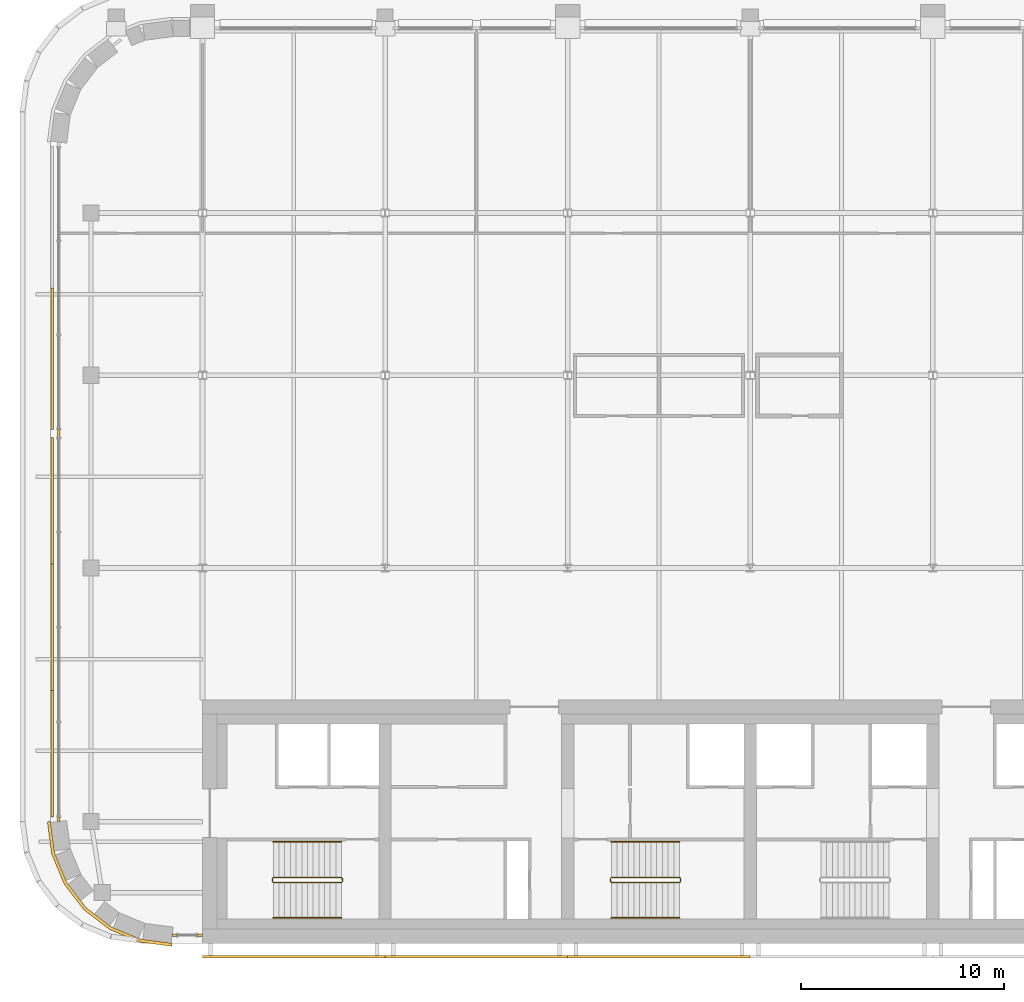
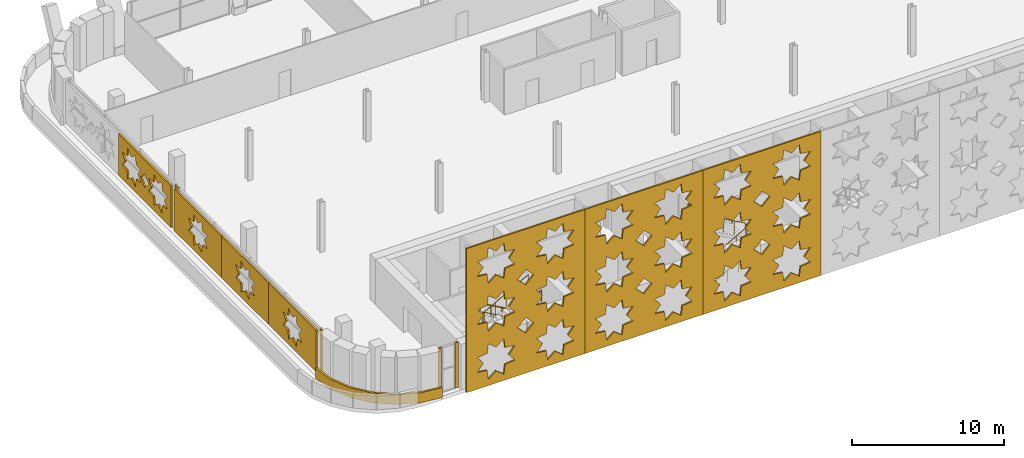
# One storey, part 20 of 25: 12 coverings, 6 railings.
"""IFC4 building model written with IfcOpenShell, lengths in metres."""

from ifc_helpers import new_model, si_unit, direction, frame, origin, origin_2d, place, context, subcontext, project, spatial, polyline, rectangle, circle, outline, extrude, material, layer, layer_set, type_object, element, save


model = new_model("IFC4")

# Units and contexts
model_context = context("Model", 3, precision=1e-05, world=origin(), true_north=direction((0.0, 1.0)))
body_context = subcontext(model_context, "Body", "Model", "MODEL_VIEW")
ifc_project = project(units=[si_unit("LENGTHUNIT", "METRE"), si_unit("AREAUNIT", "SQUARE_METRE"), si_unit("VOLUMEUNIT", "CUBIC_METRE"), si_unit("PLANEANGLEUNIT", "RADIAN"), si_unit("MASSUNIT", "GRAM", prefix="KILO")], contexts=[model_context])

# Site, building, storey
site_placement = place(None, origin())
site = spatial("IfcSite", under=ifc_project, at=site_placement, CompositionType="ELEMENT")
building_placement = place(site_placement, origin())
building = spatial("IfcBuilding", under=site, at=building_placement, Name="Zellij Exchange Tower", CompositionType="ELEMENT")
storey_placement = place(building_placement, frame((0.0, 0.0, 264.5)))
storey = spatial("IfcBuildingStorey", under=building, at=storey_placement, Name="L62", CompositionType="ELEMENT", Elevation=264.5)

# Railings
ifc_material_1 = material(Name="Stainless steel", Category="steel")
railing_type_1 = type_object("IfcRailingType", Name="CORE-RG stair guard", PredefinedType="GUARDRAIL", material=ifc_material_1)
railing_1_placement = place(storey_placement, frame((-20.10009765625, -10.800048828125, 0.0)))
element("IfcRailing", 1, at=railing_1_placement, inside=storey, type_object=railing_type_1, Name="ST1 stair guard L62", PredefinedType="GUARDRAIL", context=body_context, shape_type="SweptSolid", body=[
    extrude(circle(Radius=0.02392578125, at=origin_2d()), frame((0.0, 0.0, 1.076171875), z_axis=(0.0, -1.0, 0.0), x_axis=(1.0, 0.0, 0.0)), (0.0, 0.0, 1.0), 0.14990234375),
    extrude(circle(Radius=0.02392578125, at=origin_2d()), frame((0.0, -0.14990234375, 1.076171875), z_axis=(-0.193691321961, 0.777613689637, 0.598164376644), x_axis=(-0.970351222016, -0.241699205484, 0.0)), (0.0, 0.0, 1.0), 0.257080078125),
    extrude(circle(Radius=0.02392578125, at=origin_2d()), frame((-0.0498046875, 0.050048828125, 1.22998046875), z_axis=(-0.876421534553, 0.0, 0.481544695509), x_axis=(0.0, -1.0, 0.0)), (0.0, 0.0, 1.0), 3.833984375),
    extrude(circle(Radius=0.02392578125, at=origin_2d()), frame((-3.409912109375, 0.050048828125, 3.076171875), z_axis=(-0.707106781187, -0.707106781187, 0.0), x_axis=(0.707106781187, -0.707106781187, 0.0)), (0.0, 0.0, 1.0), 0.07080078125),
    extrude(circle(Radius=0.02392578125, at=origin_2d()), frame((-3.4599609375, 0.0, 3.076171875), z_axis=(0.0, -1.0, 0.0), x_axis=(1.0, 0.0, 0.0)), (0.0, 0.0, 1.0), 0.14990234375),
    extrude(circle(Radius=0.02392578125, at=origin_2d()), frame((-3.4599609375, -0.14990234375, 3.076171875), z_axis=(0.295599637079, -0.295599637079, 0.908428152975), x_axis=(0.707106781187, 0.707106781187, 0.0)), (0.0, 0.0, 1.0), 0.16943359375),
    extrude(circle(Radius=0.02392578125, at=origin_2d()), frame((-3.409912109375, -0.199951171875, 3.22998046875), z_axis=(0.876421534553, 0.0, 0.481544695509), x_axis=(0.0, 1.0, 0.0)), (0.0, 0.0, 1.0), 3.833984375),
    extrude(circle(Radius=0.02099609375, at=origin_2d()), origin(), (0.0, 0.0, 1.0), 1.052001953125),
    extrude(circle(Radius=0.02099609375, at=origin_2d()), frame((0.0, -0.14990234375, 0.0)), (0.0, 0.0, 1.0), 1.052001953125),
    extrude(circle(Radius=0.02099609375, at=origin_2d()), frame((-0.0498046875, 0.050048828125, 0.15380859375)), (0.0, 0.0, 1.0), 1.052001953125),
    extrude(circle(Radius=0.02099609375, at=origin_2d()), frame((-0.889892578125, 0.050048828125, 0.615234375)), (0.0, 0.0, 1.0), 1.052001953125),
    extrude(circle(Radius=0.02099609375, at=origin_2d()), frame((-1.72998046875, 0.050048828125, 1.076904296875)), (0.0, 0.0, 1.0), 1.052001953125),
    extrude(circle(Radius=0.02099609375, at=origin_2d()), frame((-2.56982421875, 0.050048828125, 1.53857421875)), (0.0, 0.0, 1.0), 1.052001953125),
    extrude(circle(Radius=0.02099609375, at=origin_2d()), frame((-3.409912109375, 0.050048828125, 2.0)), (0.0, 0.0, 1.0), 1.052001953125),
    extrude(circle(Radius=0.02099609375, at=origin_2d()), frame((-3.4599609375, 0.0, 2.0)), (0.0, 0.0, 1.0), 1.052001953125),
    extrude(circle(Radius=0.02099609375, at=origin_2d()), frame((-3.4599609375, -0.14990234375, 2.0)), (0.0, 0.0, 1.0), 1.052001953125),
    extrude(circle(Radius=0.02099609375, at=origin_2d()), frame((-3.409912109375, -0.199951171875, 2.15380859375)), (0.0, 0.0, 1.0), 1.052001953125),
    extrude(circle(Radius=0.02099609375, at=origin_2d()), frame((-2.56982421875, -0.199951171875, 2.615234375)), (0.0, 0.0, 1.0), 1.052001953125),
    extrude(circle(Radius=0.02099609375, at=origin_2d()), frame((-1.72998046875, -0.199951171875, 3.076904296875)), (0.0, 0.0, 1.0), 1.052001953125),
    extrude(circle(Radius=0.02099609375, at=origin_2d()), frame((-0.889892578125, -0.199951171875, 3.53857421875)), (0.0, 0.0, 1.0), 1.052001953125),
    extrude(circle(Radius=0.02099609375, at=origin_2d()), frame((-0.0498046875, -0.199951171875, 4.0)), (0.0, 0.0, 1.0), 1.052001953125),
])
railing_2_placement = place(storey_placement, frame((-6.89990234375, -10.949951171875, 0.0)))
element("IfcRailing", 2, at=railing_2_placement, inside=storey, type_object=railing_type_1, Name="ST2 stair guard L62", PredefinedType="GUARDRAIL", context=body_context, shape_type="SweptSolid", body=[
    extrude(circle(Radius=0.02392578125, at=origin_2d()), frame((0.0, 0.0, 1.076171875), z_axis=(0.0, 1.0, 0.0), x_axis=(-1.0, 0.0, 0.0)), (0.0, 0.0, 1.0), 0.14990234375),
    extrude(circle(Radius=0.02392578125, at=origin_2d()), frame((0.0, 0.14990234375, 1.076171875), z_axis=(0.193691321961, -0.777613689637, 0.598164376644), x_axis=(0.970351222016, 0.241699205484, 0.0)), (0.0, 0.0, 1.0), 0.257080078125),
    extrude(circle(Radius=0.02392578125, at=origin_2d()), frame((0.0498046875, -0.050048828125, 1.22998046875), z_axis=(0.876421534553, 0.0, 0.481544695509), x_axis=(0.0, 1.0, 0.0)), (0.0, 0.0, 1.0), 3.833984375),
    extrude(circle(Radius=0.02392578125, at=origin_2d()), frame((3.409912109375, -0.050048828125, 3.076171875), z_axis=(0.707106781187, 0.707106781187, 0.0), x_axis=(-0.707106781187, 0.707106781187, 0.0)), (0.0, 0.0, 1.0), 0.07080078125),
    extrude(circle(Radius=0.02392578125, at=origin_2d()), frame((3.4599609375, 0.0, 3.076171875), z_axis=(0.0, 1.0, 0.0), x_axis=(-1.0, 0.0, 0.0)), (0.0, 0.0, 1.0), 0.14990234375),
    extrude(circle(Radius=0.02392578125, at=origin_2d()), frame((3.4599609375, 0.14990234375, 3.076171875), z_axis=(-0.295599637079, 0.295599637079, 0.908428152975), x_axis=(-0.707106781187, -0.707106781187, 0.0)), (0.0, 0.0, 1.0), 0.16943359375),
    extrude(circle(Radius=0.02392578125, at=origin_2d()), frame((3.409912109375, 0.199951171875, 3.22998046875), z_axis=(-0.876421534553, 0.0, 0.481544695509), x_axis=(0.0, -1.0, 0.0)), (0.0, 0.0, 1.0), 3.833984375),
    extrude(circle(Radius=0.02099609375, at=origin_2d()), origin(), (0.0, 0.0, 1.0), 1.052001953125),
    extrude(circle(Radius=0.02099609375, at=origin_2d()), frame((0.0, 0.14990234375, 0.0)), (0.0, 0.0, 1.0), 1.052001953125),
    extrude(circle(Radius=0.02099609375, at=origin_2d()), frame((0.0498046875, -0.050048828125, 0.15380859375)), (0.0, 0.0, 1.0), 1.052001953125),
    extrude(circle(Radius=0.02099609375, at=origin_2d()), frame((0.889892578125, -0.050048828125, 0.615234375)), (0.0, 0.0, 1.0), 1.052001953125),
    extrude(circle(Radius=0.02099609375, at=origin_2d()), frame((1.72998046875, -0.050048828125, 1.076904296875)), (0.0, 0.0, 1.0), 1.052001953125),
    extrude(circle(Radius=0.02099609375, at=origin_2d()), frame((2.56982421875, -0.050048828125, 1.53857421875)), (0.0, 0.0, 1.0), 1.052001953125),
    extrude(circle(Radius=0.02099609375, at=origin_2d()), frame((3.409912109375, -0.050048828125, 2.0)), (0.0, 0.0, 1.0), 1.052001953125),
    extrude(circle(Radius=0.02099609375, at=origin_2d()), frame((3.4599609375, 0.0, 2.0)), (0.0, 0.0, 1.0), 1.052001953125),
    extrude(circle(Radius=0.02099609375, at=origin_2d()), frame((3.4599609375, 0.14990234375, 2.0)), (0.0, 0.0, 1.0), 1.052001953125),
    extrude(circle(Radius=0.02099609375, at=origin_2d()), frame((3.409912109375, 0.199951171875, 2.15380859375)), (0.0, 0.0, 1.0), 1.052001953125),
    extrude(circle(Radius=0.02099609375, at=origin_2d()), frame((2.56982421875, 0.199951171875, 2.615234375)), (0.0, 0.0, 1.0), 1.052001953125),
    extrude(circle(Radius=0.02099609375, at=origin_2d()), frame((1.72998046875, 0.199951171875, 3.076904296875)), (0.0, 0.0, 1.0), 1.052001953125),
    extrude(circle(Radius=0.02099609375, at=origin_2d()), frame((0.889892578125, 0.199951171875, 3.53857421875)), (0.0, 0.0, 1.0), 1.052001953125),
    extrude(circle(Radius=0.02099609375, at=origin_2d()), frame((0.0498046875, 0.199951171875, 4.0)), (0.0, 0.0, 1.0), 1.052001953125),
])
railing_type_2 = type_object("IfcRailingType", Name="CORE-RH stair handrail", PredefinedType="HANDRAIL", material=ifc_material_1)
railing_3_placement = place(storey_placement, frame((-20.14990234375, -9.0, 0.15380859375)))
element("IfcRailing", 3, at=railing_3_placement, inside=storey, type_object=railing_type_2, Name="ST1 stair handrail L62", PredefinedType="HANDRAIL", context=body_context, shape_type="SweptSolid", body=[
    extrude(circle(Radius=0.02392578125, at=origin_2d()), frame((0.0, 0.0, 0.8759765625), z_axis=(-0.876421534553, 0.0, 0.481544695509), x_axis=(0.0, -1.0, 0.0)), (0.0, 0.0, 1.0), 3.833984375),
    extrude(circle(Radius=0.02099609375, at=origin_2d()), origin(), (0.0, 0.0, 1.0), 0.851806640625),
    extrude(circle(Radius=0.02099609375, at=origin_2d()), frame((-0.840087890625, 0.0, 0.46142578125)), (0.0, 0.0, 1.0), 0.851806640625),
    extrude(circle(Radius=0.02099609375, at=origin_2d()), frame((-1.68017578125, 0.0, 0.923095703125)), (0.0, 0.0, 1.0), 0.851806640625),
    extrude(circle(Radius=0.02099609375, at=origin_2d()), frame((-2.52001953125, 0.0, 1.384765625)), (0.0, 0.0, 1.0), 0.851806640625),
    extrude(circle(Radius=0.02099609375, at=origin_2d()), frame((-3.360107421875, 0.0, 1.84619140625)), (0.0, 0.0, 1.0), 0.851806640625),
])
for number, where, name in (
    (4, (-23.510009765625, -12.75, 2.15380859375), "ST1 stair handrail L62"),
    (5, (-6.85009765625, -12.75, 0.15380859375), "ST2 stair handrail L62"),
):
    element("IfcRailing", number, at=place(storey_placement, frame(where)), inside=storey, type_object=railing_type_2, Name=name, PredefinedType="HANDRAIL", context=body_context, shape_type="SweptSolid", body=[
        extrude(circle(Radius=0.02392578125, at=origin_2d()), frame((0.0, 0.0, 0.8759765625), z_axis=(0.876421534553, 0.0, 0.481544695509), x_axis=(0.0, 1.0, 0.0)), (0.0, 0.0, 1.0), 3.833984375),
        extrude(circle(Radius=0.02099609375, at=origin_2d()), origin(), (0.0, 0.0, 1.0), 0.851806640625),
        extrude(circle(Radius=0.02099609375, at=origin_2d()), frame((0.840087890625, 0.0, 0.46142578125)), (0.0, 0.0, 1.0), 0.851806640625),
        extrude(circle(Radius=0.02099609375, at=origin_2d()), frame((1.68017578125, 0.0, 0.923095703125)), (0.0, 0.0, 1.0), 0.851806640625),
        extrude(circle(Radius=0.02099609375, at=origin_2d()), frame((2.52001953125, 0.0, 1.384765625)), (0.0, 0.0, 1.0), 0.851806640625),
        extrude(circle(Radius=0.02099609375, at=origin_2d()), frame((3.360107421875, 0.0, 1.84619140625)), (0.0, 0.0, 1.0), 0.851806640625),
    ])
railing_4_placement = place(storey_placement, frame((-3.489990234375, -9.0, 2.15380859375)))
element("IfcRailing", 6, at=railing_4_placement, inside=storey, type_object=railing_type_2, Name="ST2 stair handrail L62", PredefinedType="HANDRAIL", context=body_context, shape_type="SweptSolid", body=[
    extrude(circle(Radius=0.02392578125, at=origin_2d()), frame((0.0, 0.0, 0.8759765625), z_axis=(-0.876421534553, 0.0, 0.481544695509), x_axis=(0.0, -1.0, 0.0)), (0.0, 0.0, 1.0), 3.833984375),
    extrude(circle(Radius=0.02099609375, at=origin_2d()), origin(), (0.0, 0.0, 1.0), 0.851806640625),
    extrude(circle(Radius=0.02099609375, at=origin_2d()), frame((-0.840087890625, 0.0, 0.46142578125)), (0.0, 0.0, 1.0), 0.851806640625),
    extrude(circle(Radius=0.02099609375, at=origin_2d()), frame((-1.68017578125, 0.0, 0.923095703125)), (0.0, 0.0, 1.0), 0.851806640625),
    extrude(circle(Radius=0.02099609375, at=origin_2d()), frame((-2.52001953125, 0.0, 1.384765625)), (0.0, 0.0, 1.0), 0.851806640625),
    extrude(circle(Radius=0.02099609375, at=origin_2d()), frame((-3.360107421875, 0.0, 1.84619140625)), (0.0, 0.0, 1.0), 0.851806640625),
])

# Coverings
ifc_material_2 = material(Name="Limestone cladding", Category="masonry")
ifc_layer_1 = layer(ifc_material_2, 0.14990234375)
ifc_layer_set_1 = layer_set([ifc_layer_1], Name="Limestone cladding")
covering_type_1 = type_object("IfcCoveringType", Name="ENV-CV1 Stone spandrel band 150", PredefinedType="CLADDING", material=ifc_layer_set_1)
covering_1_placement = place(storey_placement, origin())
element("IfcCovering", 7, at=covering_1_placement, inside=storey, type_object=covering_type_1, Name="Stone spandrel band", PredefinedType="CLADDING", context=body_context, shape_type="SweptSolid", body=[
    extrude(outline(polyline([(-34.5, -8.0), (-34.295654296875, -9.552978515625), (-33.6962890625, -11.0), (-32.74267578125, -12.24267578125), (-31.5, -13.1962890625), (-30.052978515625, -13.795654296875), (-28.5, -14.0), (-28.509765625, -14.14990234375), (-30.092041015625, -13.941650390625), (-31.57568359375, -13.3271484375), (-32.849609375, -12.349609375), (-33.8271484375, -11.07568359375), (-34.441650390625, -9.592041015625), (-34.64990234375, -8.009765625), (-34.5, -8.0)])), origin(), (0.0, 0.0, 1.0), 0.800048828125),
])
ifc_layer_2 = layer(ifc_material_2, 0.1201171875)
ifc_layer_set_2 = layer_set([ifc_layer_2], Name="Limestone cladding")
covering_type_2 = type_object("IfcCoveringType", Name="ENV-CV18 Glazing closer 120", PredefinedType="CLADDING", material=ifc_layer_set_2)
covering_2_placement = place(storey_placement, frame((-34.10009765625, 11.13916015625, 0.0), z_axis=(0.0, 0.0, 1.0), x_axis=(0.0, -1.0, 0.0)))
element("IfcCovering", 8, at=covering_2_placement, inside=storey, type_object=covering_type_2, Name="Glazing closer", PredefinedType="CLADDING", context=body_context, shape_type="SweptSolid", body=[
    extrude(rectangle(XDim=0.39990234375, YDim=0.1201171875, at=origin_2d()), origin(), (0.0, 0.0, 1.0), 3.64990234375),
])
covering_3_placement = place(storey_placement, frame((-27.125, -13.60009765625, 0.0), z_axis=(0.0, 0.0, 1.0), x_axis=(1.0, 0.0, 0.0)))
element("IfcCovering", 9, at=covering_3_placement, inside=storey, type_object=covering_type_2, Name="Glazing closer", PredefinedType="CLADDING", context=body_context, shape_type="SweptSolid", body=[
    extrude(rectangle(XDim=0.25, YDim=0.1201171875, at=origin_2d()), origin(), (0.0, 0.0, 1.0), 3.64990234375),
])
for number, where, z_axis, x_axis, name in (
    (10, (-34.10009765625, -7.883056640625, 0.0), (0.0, 0.0, 1.0), (0.0, -1.0, 0.0), "Glazing closer"),
    (11, (-28.383056640625, -13.60009765625, 0.0), (0.0, 0.0, 1.0), (-1.0, 0.0, 0.0), "Glazing closer"),
):
    element("IfcCovering", number, at=place(storey_placement, frame(where, z_axis=z_axis, x_axis=x_axis)), inside=storey, type_object=covering_type_2, Name=name, PredefinedType="CLADDING", context=body_context, shape_type="SweptSolid", body=[
        extrude(rectangle(XDim=0.218505859375, YDim=0.1201171875, at=origin_2d()), origin(), (0.0, 0.0, 1.0), 3.64990234375),
    ])
ifc_material_3 = material(Name="Limestone screen", Category="masonry")
ifc_layer_3 = layer(ifc_material_3, 0.1201171875)
ifc_layer_set_3 = layer_set([ifc_layer_3], Name="Limestone screen")
covering_type_3 = type_object("IfcCoveringType", Name="ENV-SC1 Pierced stone screen 120", PredefinedType="USERDEFINED", material=ifc_layer_set_3)
covering_4_placement = place(storey_placement, frame((-34.39990234375, 18.306396484375, 0.300048828125), z_axis=(0.0, 0.0, 1.0), x_axis=(0.0, -1.0, 0.0)))
element("IfcCovering", 12, at=covering_4_placement, inside=storey, type_object=covering_type_3, Name="Pierced stone screen", ObjectType="SCREEN", PredefinedType="USERDEFINED", context=body_context, shape_type="SweptSolid", body=[
    extrude(outline(polyline([(0.0, 0.0), (6.96728515625, 0.0), (6.96728515625, 3.35009765625), (0.0, 3.35009765625), (0.0, 0.0)]), holes=[polyline([(2.979736328125, 2.187744140625), (2.329345703125, 2.262451171875), (2.254638671875, 2.9130859375), (1.74169921875, 2.505859375), (1.22900390625, 2.9130859375), (1.154296875, 2.262451171875), (0.50390625, 2.187744140625), (0.910888671875, 1.675048828125), (0.50390625, 1.162109375), (1.154296875, 1.08740234375), (1.22900390625, 0.43701171875), (1.74169921875, 0.84423828125), (2.254638671875, 0.43701171875), (2.329345703125, 1.08740234375), (2.979736328125, 1.162109375), (2.572509765625, 1.675048828125), (2.979736328125, 2.187744140625)]), polyline([(6.46337890625, 2.187744140625), (5.81298828125, 2.262451171875), (5.73828125, 2.9130859375), (5.2255859375, 2.505859375), (4.712646484375, 2.9130859375), (4.637939453125, 2.262451171875), (3.987548828125, 2.187744140625), (4.394775390625, 1.675048828125), (3.987548828125, 1.162109375), (4.637939453125, 1.08740234375), (4.712646484375, 0.43701171875), (5.2255859375, 0.84423828125), (5.73828125, 0.43701171875), (5.81298828125, 1.08740234375), (6.46337890625, 1.162109375), (6.056396484375, 1.675048828125), (6.46337890625, 2.187744140625)]), polyline([(4.019775390625, 1.675048828125), (3.483642578125, 2.2109375), (2.94775390625, 1.675048828125), (3.483642578125, 1.138916015625), (4.019775390625, 1.675048828125)])]), frame((0.0, 0.06005859375, 0.0), z_axis=(0.0, -1.0, 0.0), x_axis=(1.0, 0.0, 0.0)), (0.0, 0.0, 1.0), 0.1201171875),
])
for number, where, z_axis, x_axis, name in (
    (13, (-34.39990234375, 10.939208984375, 0.300048828125), (0.0, 0.0, 1.0), (0.0, -1.0, 0.0), "Pierced stone screen"),
    (14, (-34.39990234375, 4.701416015625, 0.300048828125), (0.0, 0.0, 1.0), (0.0, -1.0, 0.0), "Pierced stone screen"),
    (15, (-34.39990234375, -1.5361328125, 0.300048828125), (0.0, 0.0, 1.0), (0.0, -1.0, 0.0), "Pierced stone screen"),
):
    element("IfcCovering", number, at=place(storey_placement, frame(where, z_axis=z_axis, x_axis=x_axis)), inside=storey, type_object=covering_type_3, Name=name, ObjectType="SCREEN", PredefinedType="USERDEFINED", context=body_context, shape_type="SweptSolid", body=[
        extrude(outline(polyline([(0.0, 0.0), (6.237548828125, 0.0), (6.237548828125, 3.35009765625), (0.0, 3.35009765625), (0.0, 0.0)]), holes=[polyline([(4.356689453125, 2.187744140625), (3.706298828125, 2.262451171875), (3.631591796875, 2.9130859375), (3.118896484375, 2.505859375), (2.60595703125, 2.9130859375), (2.53125, 2.262451171875), (1.880859375, 2.187744140625), (2.2880859375, 1.675048828125), (1.880859375, 1.162109375), (2.53125, 1.08740234375), (2.60595703125, 0.43701171875), (3.118896484375, 0.84423828125), (3.631591796875, 0.43701171875), (3.706298828125, 1.08740234375), (4.356689453125, 1.162109375), (3.94970703125, 1.675048828125), (4.356689453125, 2.187744140625)])]), frame((0.0, 0.06005859375, 0.0), z_axis=(0.0, -1.0, 0.0), x_axis=(1.0, 0.0, 0.0)), (0.0, 0.0, 1.0), 0.1201171875),
    ])
ifc_layer_4 = layer(ifc_material_3, 0.1201171875)
ifc_layer_set_4 = layer_set([ifc_layer_4], Name="Limestone screen")
covering_type_4 = type_object("IfcCoveringType", Name="ENV-SC5 Pierced stone relief 120", PredefinedType="USERDEFINED", material=ifc_layer_set_4)
covering_5_placement = place(storey_placement, frame((-27.0, -14.659912109375, 0.199951171875), z_axis=(0.0, 0.0, 1.0), x_axis=(1.0, 0.0, 0.0)))
element("IfcCovering", 16, at=covering_5_placement, inside=storey, type_object=covering_type_4, Name="Pierced stone relief", ObjectType="SCREEN", PredefinedType="USERDEFINED", context=body_context, shape_type="SweptSolid", body=[
    extrude(outline(polyline([(0.0, 0.0), (9.0, 0.0), (9.0, 11.60009765625), (0.0, 11.60009765625), (0.0, 0.0)]), holes=[polyline([(3.678955078125, 2.525146484375), (2.927978515625, 2.611328125), (2.841796875, 3.3623046875), (2.25, 2.892333984375), (1.658203125, 3.3623046875), (1.572021484375, 2.611328125), (0.821044921875, 2.525146484375), (1.291015625, 1.933349609375), (0.821044921875, 1.34130859375), (1.572021484375, 1.25537109375), (1.658203125, 0.50439453125), (2.25, 0.974365234375), (2.841796875, 0.50439453125), (2.927978515625, 1.25537109375), (3.678955078125, 1.34130859375), (3.208984375, 1.933349609375), (3.678955078125, 2.525146484375)]), polyline([(3.678955078125, 6.391845703125), (2.927978515625, 6.47802734375), (2.841796875, 7.22900390625), (2.25, 6.7587890625), (1.658203125, 7.22900390625), (1.572021484375, 6.47802734375), (0.821044921875, 6.391845703125), (1.291015625, 5.800048828125), (0.821044921875, 5.2080078125), (1.572021484375, 5.121826171875), (1.658203125, 4.37109375), (2.25, 4.841064453125), (2.841796875, 4.37109375), (2.927978515625, 5.121826171875), (3.678955078125, 5.2080078125), (3.208984375, 5.800048828125), (3.678955078125, 6.391845703125)]), polyline([(3.678955078125, 10.258544921875), (2.927978515625, 10.3447265625), (2.841796875, 11.095703125), (2.25, 10.62548828125), (1.658203125, 11.095703125), (1.572021484375, 10.3447265625), (0.821044921875, 10.258544921875), (1.291015625, 9.666748046875), (0.821044921875, 9.07470703125), (1.572021484375, 8.988525390625), (1.658203125, 8.23779296875), (2.25, 8.707763671875), (2.841796875, 8.23779296875), (2.927978515625, 8.988525390625), (3.678955078125, 9.07470703125), (3.208984375, 9.666748046875), (3.678955078125, 10.258544921875)]), polyline([(8.178955078125, 2.525146484375), (7.427978515625, 2.611328125), (7.341796875, 3.3623046875), (6.75, 2.892333984375), (6.158203125, 3.3623046875), (6.072021484375, 2.611328125), (5.321044921875, 2.525146484375), (5.791015625, 1.933349609375), (5.321044921875, 1.34130859375), (6.072021484375, 1.25537109375), (6.158203125, 0.50439453125), (6.75, 0.974365234375), (7.341796875, 0.50439453125), (7.427978515625, 1.25537109375), (8.178955078125, 1.34130859375), (7.708984375, 1.933349609375), (8.178955078125, 2.525146484375)]), polyline([(8.178955078125, 6.391845703125), (7.427978515625, 6.47802734375), (7.341796875, 7.22900390625), (6.75, 6.7587890625), (6.158203125, 7.22900390625), (6.072021484375, 6.47802734375), (5.321044921875, 6.391845703125), (5.791015625, 5.800048828125), (5.321044921875, 5.2080078125), (6.072021484375, 5.121826171875), (6.158203125, 4.37109375), (6.75, 4.841064453125), (7.341796875, 4.37109375), (7.427978515625, 5.121826171875), (8.178955078125, 5.2080078125), (7.708984375, 5.800048828125), (8.178955078125, 6.391845703125)]), polyline([(8.178955078125, 10.258544921875), (7.427978515625, 10.3447265625), (7.341796875, 11.095703125), (6.75, 10.62548828125), (6.158203125, 11.095703125), (6.072021484375, 10.3447265625), (5.321044921875, 10.258544921875), (5.791015625, 9.666748046875), (5.321044921875, 9.07470703125), (6.072021484375, 8.988525390625), (6.158203125, 8.23779296875), (6.75, 8.707763671875), (7.341796875, 8.23779296875), (7.427978515625, 8.988525390625), (8.178955078125, 9.07470703125), (7.708984375, 9.666748046875), (8.178955078125, 10.258544921875)]), polyline([(5.11865234375, 3.86669921875), (4.5, 4.4853515625), (3.88134765625, 3.86669921875), (4.5, 3.248046875), (5.11865234375, 3.86669921875)]), polyline([(5.11865234375, 7.7333984375), (4.5, 8.35205078125), (3.88134765625, 7.7333984375), (4.5, 7.11474609375), (5.11865234375, 7.7333984375)])]), frame((0.0, 0.06005859375, 0.0), z_axis=(0.0, -1.0, 0.0), x_axis=(1.0, 0.0, 0.0)), (0.0, 0.0, 1.0), 0.1201171875),
])
covering_6_placement = place(storey_placement, frame((-18.0, -14.659912109375, 0.199951171875), z_axis=(0.0, 0.0, 1.0), x_axis=(1.0, 0.0, 0.0)))
element("IfcCovering", 17, at=covering_6_placement, inside=storey, type_object=covering_type_4, Name="Pierced stone relief", ObjectType="SCREEN", PredefinedType="USERDEFINED", context=body_context, shape_type="SweptSolid", body=[
    extrude(outline(polyline([(0.0, 0.0), (9.0, 0.0), (9.0, 11.60009765625), (0.0, 11.60009765625), (0.0, 0.0)]), holes=[polyline([(3.678955078125, 2.525146484375), (2.927978515625, 2.611328125), (2.841796875, 3.3623046875), (2.25, 2.892333984375), (1.658203125, 3.3623046875), (1.572021484375, 2.611328125), (0.821044921875, 2.525146484375), (1.291015625, 1.933349609375), (0.821044921875, 1.34130859375), (1.572021484375, 1.25537109375), (1.658203125, 0.50439453125), (2.25, 0.974365234375), (2.841796875, 0.50439453125), (2.927978515625, 1.25537109375), (3.678955078125, 1.34130859375), (3.208984375, 1.933349609375), (3.678955078125, 2.525146484375)]), polyline([(3.678955078125, 6.391845703125), (2.927978515625, 6.47802734375), (2.841796875, 7.22900390625), (2.25, 6.7587890625), (1.658203125, 7.22900390625), (1.572021484375, 6.47802734375), (0.821044921875, 6.391845703125), (1.291015625, 5.800048828125), (0.821044921875, 5.2080078125), (1.572021484375, 5.121826171875), (1.658203125, 4.37109375), (2.25, 4.841064453125), (2.841796875, 4.37109375), (2.927978515625, 5.121826171875), (3.678955078125, 5.2080078125), (3.208984375, 5.800048828125), (3.678955078125, 6.391845703125)]), polyline([(3.678955078125, 10.258544921875), (2.927978515625, 10.3447265625), (2.841796875, 11.095703125), (2.25, 10.62548828125), (1.658203125, 11.095703125), (1.572021484375, 10.3447265625), (0.821044921875, 10.258544921875), (1.291015625, 9.666748046875), (0.821044921875, 9.07470703125), (1.572021484375, 8.988525390625), (1.658203125, 8.23779296875), (2.25, 8.707763671875), (2.841796875, 8.23779296875), (2.927978515625, 8.988525390625), (3.678955078125, 9.07470703125), (3.208984375, 9.666748046875), (3.678955078125, 10.258544921875)]), polyline([(8.178955078125, 2.525146484375), (7.427978515625, 2.611328125), (7.341796875, 3.3623046875), (6.75, 2.892333984375), (6.158203125, 3.3623046875), (6.072021484375, 2.611328125), (5.321044921875, 2.525146484375), (5.791015625, 1.933349609375), (5.321044921875, 1.34130859375), (6.072021484375, 1.25537109375), (6.158203125, 0.50439453125), (6.75, 0.974365234375), (7.341796875, 0.50439453125), (7.427978515625, 1.25537109375), (8.178955078125, 1.34130859375), (7.708984375, 1.933349609375), (8.178955078125, 2.525146484375)]), polyline([(8.178955078125, 6.391845703125), (7.427978515625, 6.47802734375), (7.341796875, 7.22900390625), (6.75, 6.7587890625), (6.158203125, 7.22900390625), (6.072021484375, 6.47802734375), (5.321044921875, 6.391845703125), (5.791015625, 5.800048828125), (5.321044921875, 5.2080078125), (6.072021484375, 5.121826171875), (6.158203125, 4.37109375), (6.75, 4.841064453125), (7.341796875, 4.37109375), (7.427978515625, 5.121826171875), (8.178955078125, 5.2080078125), (7.708984375, 5.800048828125), (8.178955078125, 6.391845703125)]), polyline([(8.178955078125, 10.258544921875), (7.427978515625, 10.3447265625), (7.341796875, 11.095703125), (6.75, 10.62548828125), (6.158203125, 11.095703125), (6.072021484375, 10.3447265625), (5.321044921875, 10.258544921875), (5.791015625, 9.666748046875), (5.321044921875, 9.07470703125), (6.072021484375, 8.988525390625), (6.158203125, 8.23779296875), (6.75, 8.707763671875), (7.341796875, 8.23779296875), (7.427978515625, 8.988525390625), (8.178955078125, 9.07470703125), (7.708984375, 9.666748046875), (8.178955078125, 10.258544921875)]), polyline([(5.11865234375, 3.86669921875), (4.5, 4.4853515625), (3.88134765625, 3.86669921875), (4.5, 3.248046875), (5.11865234375, 3.86669921875)]), polyline([(5.11865234375, 7.7333984375), (4.5, 8.35205078125), (3.88134765625, 7.7333984375), (4.5, 7.11474609375), (5.11865234375, 7.7333984375)])]), frame((0.0, 0.06005859375, 0.0), z_axis=(0.0, -1.0, 0.0), x_axis=(1.0, 0.0, 0.0)), (0.0, 0.0, 1.0), 0.1201171875),
])
covering_7_placement = place(storey_placement, frame((-9.0, -14.659912109375, 0.199951171875), z_axis=(0.0, 0.0, 1.0), x_axis=(1.0, 0.0, 0.0)))
element("IfcCovering", 18, at=covering_7_placement, inside=storey, type_object=covering_type_4, Name="Pierced stone relief", ObjectType="SCREEN", PredefinedType="USERDEFINED", context=body_context, shape_type="SweptSolid", body=[
    extrude(outline(polyline([(0.0, 0.0), (9.0, 0.0), (9.0, 11.60009765625), (0.0, 11.60009765625), (0.0, 0.0)]), holes=[polyline([(3.678955078125, 2.525146484375), (2.927978515625, 2.611328125), (2.841796875, 3.3623046875), (2.25, 2.892333984375), (1.658203125, 3.3623046875), (1.572021484375, 2.611328125), (0.821044921875, 2.525146484375), (1.291015625, 1.933349609375), (0.821044921875, 1.34130859375), (1.572021484375, 1.25537109375), (1.658203125, 0.50439453125), (2.25, 0.974365234375), (2.841796875, 0.50439453125), (2.927978515625, 1.25537109375), (3.678955078125, 1.34130859375), (3.208984375, 1.933349609375), (3.678955078125, 2.525146484375)]), polyline([(3.678955078125, 6.391845703125), (2.927978515625, 6.47802734375), (2.841796875, 7.22900390625), (2.25, 6.7587890625), (1.658203125, 7.22900390625), (1.572021484375, 6.47802734375), (0.821044921875, 6.391845703125), (1.291015625, 5.800048828125), (0.821044921875, 5.2080078125), (1.572021484375, 5.121826171875), (1.658203125, 4.37109375), (2.25, 4.841064453125), (2.841796875, 4.37109375), (2.927978515625, 5.121826171875), (3.678955078125, 5.2080078125), (3.208984375, 5.800048828125), (3.678955078125, 6.391845703125)]), polyline([(3.678955078125, 10.258544921875), (2.927978515625, 10.3447265625), (2.841796875, 11.095703125), (2.25, 10.62548828125), (1.658203125, 11.095703125), (1.572021484375, 10.3447265625), (0.821044921875, 10.258544921875), (1.291015625, 9.666748046875), (0.821044921875, 9.07470703125), (1.572021484375, 8.988525390625), (1.658203125, 8.23779296875), (2.25, 8.707763671875), (2.841796875, 8.23779296875), (2.927978515625, 8.988525390625), (3.678955078125, 9.07470703125), (3.208984375, 9.666748046875), (3.678955078125, 10.258544921875)]), polyline([(8.178955078125, 2.525146484375), (7.427978515625, 2.611328125), (7.341796875, 3.3623046875), (6.75, 2.892333984375), (6.158203125, 3.3623046875), (6.072021484375, 2.611328125), (5.321044921875, 2.525146484375), (5.791015625, 1.933349609375), (5.321044921875, 1.34130859375), (6.072021484375, 1.25537109375), (6.158203125, 0.50439453125), (6.75, 0.974365234375), (7.341796875, 0.50439453125), (7.427978515625, 1.25537109375), (8.178955078125, 1.34130859375), (7.708984375, 1.933349609375), (8.178955078125, 2.525146484375)]), polyline([(8.178955078125, 6.391845703125), (7.427978515625, 6.47802734375), (7.341796875, 7.22900390625), (6.75, 6.7587890625), (6.158203125, 7.22900390625), (6.072021484375, 6.47802734375), (5.321044921875, 6.391845703125), (5.791015625, 5.800048828125), (5.321044921875, 5.2080078125), (6.072021484375, 5.121826171875), (6.158203125, 4.37109375), (6.75, 4.841064453125), (7.341796875, 4.37109375), (7.427978515625, 5.121826171875), (8.178955078125, 5.2080078125), (7.708984375, 5.800048828125), (8.178955078125, 6.391845703125)]), polyline([(8.178955078125, 10.258544921875), (7.427978515625, 10.3447265625), (7.341796875, 11.095703125), (6.75, 10.62548828125), (6.158203125, 11.095703125), (6.072021484375, 10.3447265625), (5.321044921875, 10.258544921875), (5.791015625, 9.666748046875), (5.321044921875, 9.07470703125), (6.072021484375, 8.988525390625), (6.158203125, 8.23779296875), (6.75, 8.707763671875), (7.341796875, 8.23779296875), (7.427978515625, 8.988525390625), (8.178955078125, 9.07470703125), (7.708984375, 9.666748046875), (8.178955078125, 10.258544921875)]), polyline([(5.11865234375, 3.86669921875), (4.5, 4.4853515625), (3.88134765625, 3.86669921875), (4.5, 3.248046875), (5.11865234375, 3.86669921875)]), polyline([(5.11865234375, 7.7333984375), (4.5, 8.35205078125), (3.88134765625, 7.7333984375), (4.5, 7.11474609375), (5.11865234375, 7.7333984375)])]), frame((0.0, 0.06005859375, 0.0), z_axis=(0.0, -1.0, 0.0), x_axis=(1.0, 0.0, 0.0)), (0.0, 0.0, 1.0), 0.1201171875),
])

save(model, "model.ifc")
